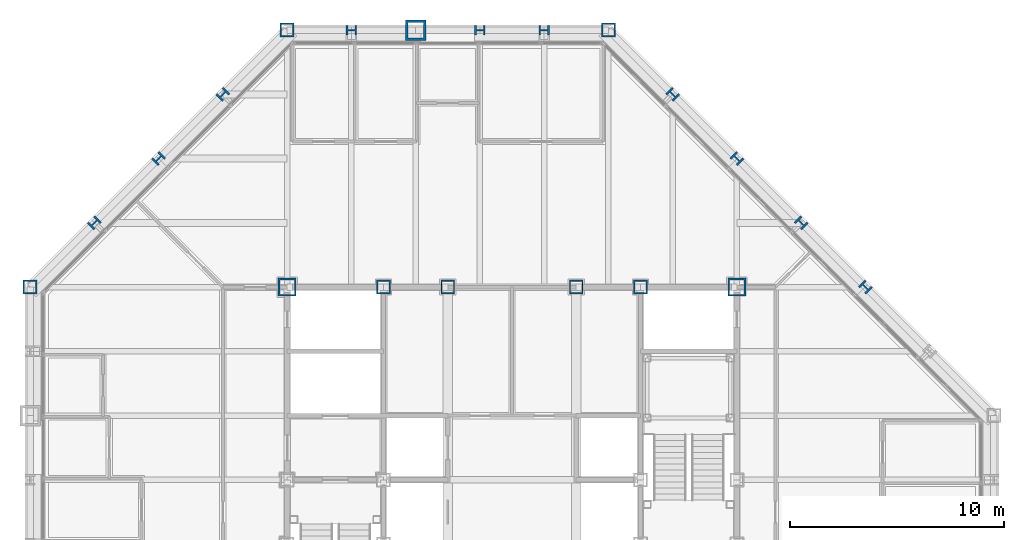
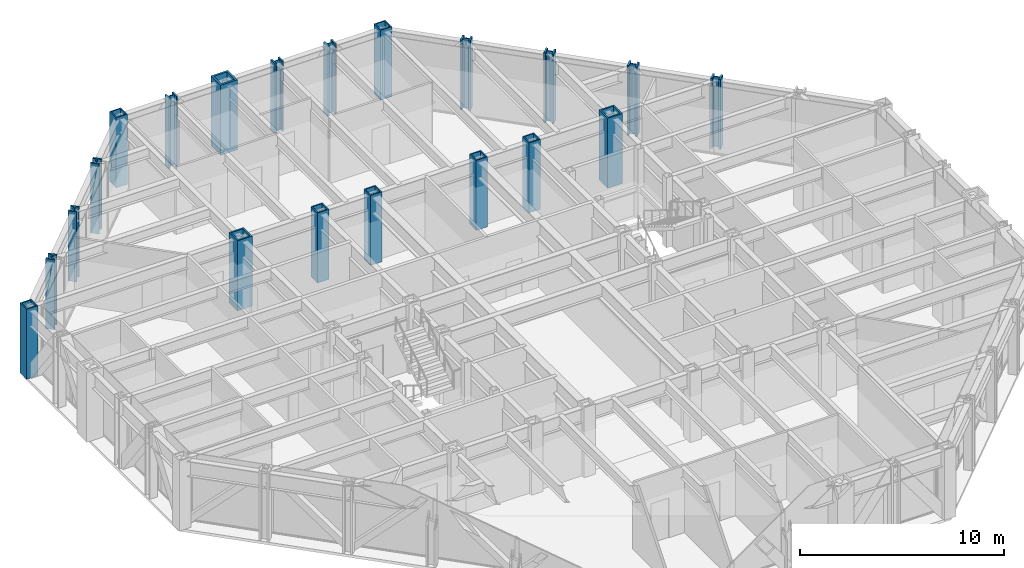
# One storey, part 3 of 15: 20 columns.
"""IFC4 building model written with IfcOpenShell, lengths in metres."""

from ifc_helpers import new_model, si_unit, direction, frame, origin, origin_2d, place, context, subcontext, project, spatial, hollow_rectangle, i_section, extrude, material, material_profile, profile_set, type_object, element, save


model = new_model("IFC4")

# Units and contexts
model_context = context("Model", 3, precision=1e-05, world=origin(), true_north=direction((0.0, 1.0)))
body_context = subcontext(model_context, "Body", "Model", "MODEL_VIEW")
ifc_project = project(units=[si_unit("LENGTHUNIT", "METRE"), si_unit("AREAUNIT", "SQUARE_METRE"), si_unit("VOLUMEUNIT", "CUBIC_METRE"), si_unit("PLANEANGLEUNIT", "RADIAN"), si_unit("MASSUNIT", "GRAM", prefix="KILO")], contexts=[model_context])

# Site, building, storey
site_placement = place(None, origin())
site = spatial("IfcSite", under=ifc_project, at=site_placement, CompositionType="ELEMENT")
building_placement = place(site_placement, origin())
building = spatial("IfcBuilding", under=site, at=building_placement, Name="Chuquiago Exchange Tower", CompositionType="ELEMENT")
storey_placement = place(building_placement, frame((0.0, 0.0, 184.5)))
storey = spatial("IfcBuildingStorey", under=building, at=storey_placement, Name="L40", CompositionType="ELEMENT", Elevation=184.5)

# Columns
ifc_material_1 = material(Name="Steel ASTM A992", Category="steel")
ifc_material_profile_1 = material_profile(ifc_material_1, i_section(OverallWidth=0.431884765625, OverallDepth=0.497802734375, WebThickness=0.0556640625, FlangeThickness=0.0888671875, at=origin_2d()), Name="W14X500")
ifc_profile_set_1 = profile_set([ifc_material_profile_1], Name="Steel ASTM A992")
column_type_1 = type_object("IfcColumnType", Name="C4 W14X500", PredefinedType="COLUMN", material=ifc_profile_set_1)
for number, where, z_axis, x_axis, name in (
    (1, (24.0, 45.0, 0.0), (0.0, 0.0, 1.0), (0.0, 1.0, 0.0), "COL-L40-24_45"),
    (2, (21.0, 45.0, 0.0), (0.0, 0.0, 1.0), (0.0, 1.0, 0.0), "COL-L40-21_45"),
    (3, (15.0, 45.0, 0.0), (0.0, 0.0, 1.0), (0.0, 1.0, 0.0), "COL-L40-15_45"),
):
    element("IfcColumn", number, at=place(storey_placement, frame(where, z_axis=z_axis, x_axis=x_axis)), inside=storey, type_object=column_type_1, Name=name, PredefinedType="COLUMN", context=body_context, shape_type="SweptSolid", body=[
        extrude(i_section(OverallWidth=0.431884765625, OverallDepth=0.497802734375, WebThickness=0.0556640625, FlangeThickness=0.0888671875, at=origin_2d()), origin(), (0.0, 0.0, 1.0), 4.199951171875),
    ])
ifc_material_2 = material(Name="Steel ASTM A572 Grade 50", Category="steel")
ifc_material_profile_2 = material_profile(ifc_material_2, hollow_rectangle(XDim=0.64990234375, YDim=0.64990234375, WallThickness=0.06494140625, at=origin_2d()), Name="BOX650X650X65")
ifc_profile_set_2 = profile_set([ifc_material_profile_2], Name="Steel ASTM A572 Grade 50")
column_type_2 = type_object("IfcColumnType", Name="CC4 BOX650X650X65", PredefinedType="COLUMN", material=ifc_profile_set_2)
for number, where, z_axis, x_axis, name in (
    (4, (16.5, 33.0, 0.0), (0.0, 0.0, 1.0), (1.0, 0.0, 0.0), "CCOL-L40-16.5_33"),
    (5, (19.5, 33.0, 0.0), (0.0, 0.0, 1.0), (1.0, 0.0, 0.0), "CCOL-L40-19.5_33"),
    (6, (25.5, 33.0, 0.0), (0.0, 0.0, 1.0), (1.0, 0.0, 0.0), "CCOL-L40-25.5_33"),
    (7, (28.5, 33.0, 0.0), (0.0, 0.0, 1.0), (1.0, 0.0, 0.0), "CCOL-L40-28.5_33"),
):
    element("IfcColumn", number, at=place(storey_placement, frame(where, z_axis=z_axis, x_axis=x_axis)), inside=storey, type_object=column_type_2, Name=name, PredefinedType="COLUMN", context=body_context, shape_type="SweptSolid", body=[
        extrude(hollow_rectangle(XDim=0.64990234375, YDim=0.64990234375, WallThickness=0.06494140625, at=origin_2d()), origin(), (0.0, 0.0, 1.0), 4.199951171875),
    ])
ifc_material_3 = material(Name="Steel ASTM A572 Grade 50", Category="steel")
ifc_material_profile_3 = material_profile(ifc_material_3, hollow_rectangle(XDim=0.85009765625, YDim=0.85009765625, WallThickness=0.0849609375, at=origin_2d()), Name="BOX850X850X85")
ifc_profile_set_3 = profile_set([ifc_material_profile_3], Name="Steel ASTM A572 Grade 50")
column_type_3 = type_object("IfcColumnType", Name="CC6 BOX850X850X85", PredefinedType="COLUMN", material=ifc_profile_set_3)
for number, where, z_axis, x_axis, name in (
    (8, (12.0, 33.0, 0.0), (0.0, 0.0, 1.0), (1.0, 0.0, 0.0), "CCOL-L40-12_33"),
    (9, (33.0, 33.0, 0.0), (0.0, 0.0, 1.0), (1.0, 0.0, 0.0), "CCOL-L40-33_33"),
):
    element("IfcColumn", number, at=place(storey_placement, frame(where, z_axis=z_axis, x_axis=x_axis)), inside=storey, type_object=column_type_3, Name=name, PredefinedType="COLUMN", context=body_context, shape_type="SweptSolid", body=[
        extrude(hollow_rectangle(XDim=0.85009765625, YDim=0.85009765625, WallThickness=0.0849609375, at=origin_2d()), origin(), (0.0, 0.0, 1.0), 4.199951171875),
    ])
ifc_material_4 = material(Name="Steel ASTM A992", Category="steel")
ifc_material_profile_4 = material_profile(ifc_material_4, i_section(OverallWidth=0.436767578125, OverallDepth=0.51318359375, WebThickness=0.060546875, FlangeThickness=0.096923828125, at=origin_2d()), Name="W14X550")
ifc_profile_set_4 = profile_set([ifc_material_profile_4], Name="Steel ASTM A992")
column_type_4 = type_object("IfcColumnType", Name="CK4 W14X550", PredefinedType="COLUMN", material=ifc_profile_set_4)
for number, where, z_axis, x_axis, name in (
    (10, (39.0, 33.0, 0.0), (0.0, 0.0, 1.0), (0.707106781187, 0.707106781187, 0.0), "COL-L40-39_33"),
    (11, (36.0, 36.0, 0.0), (0.0, 0.0, 1.0), (0.707106781187, 0.707106781187, 0.0), "COL-L40-36_36"),
    (12, (33.0, 39.0, 0.0), (0.0, 0.0, 1.0), (0.707106781187, 0.707106781187, 0.0), "COL-L40-33_39"),
    (13, (30.0, 42.0, 0.0), (0.0, 0.0, 1.0), (0.707106781187, 0.707106781187, 0.0), "COL-L40-30_42"),
    (14, (9.0, 42.0, 0.0), (0.0, 0.0, 1.0), (-0.707106781187, 0.707106781187, 0.0), "COL-L40-9_42"),
    (15, (6.0, 39.0, 0.0), (0.0, 0.0, 1.0), (-0.707106781187, 0.707106781187, 0.0), "COL-L40-6_39"),
    (16, (3.0, 36.0, 0.0), (0.0, 0.0, 1.0), (-0.707106781187, 0.707106781187, 0.0), "COL-L40-3_36"),
):
    element("IfcColumn", number, at=place(storey_placement, frame(where, z_axis=z_axis, x_axis=x_axis)), inside=storey, type_object=column_type_4, Name=name, PredefinedType="COLUMN", context=body_context, shape_type="SweptSolid", body=[
        extrude(i_section(OverallWidth=0.436767578125, OverallDepth=0.51318359375, WebThickness=0.060546875, FlangeThickness=0.096923828125, at=origin_2d()), origin(), (0.0, 0.0, 1.0), 4.199951171875),
    ])
ifc_material_5 = material(Name="Steel ASTM A572 Grade 50", Category="steel")
ifc_material_profile_5 = material_profile(ifc_material_5, hollow_rectangle(XDim=0.64990234375, YDim=0.64990234375, WallThickness=0.06494140625, at=origin_2d()), Name="BOX650X650X65")
ifc_profile_set_5 = profile_set([ifc_material_profile_5], Name="Steel ASTM A572 Grade 50")
column_type_5 = type_object("IfcColumnType", Name="CN2 BOX650X650X65", PredefinedType="COLUMN", material=ifc_profile_set_5)
for number, where, z_axis, x_axis, name in (
    (17, (27.0, 45.0, 0.0), (0.0, 0.0, 1.0), (0.0, 1.0, 0.0), "COL-L40-27_45"),
    (18, (12.0, 45.0, 0.0), (0.0, 0.0, 1.0), (0.0, 1.0, 0.0), "COL-L40-12_45"),
    (19, (0.0, 33.0, 0.0), (0.0, 0.0, 1.0), (-1.0, 0.0, 0.0), "COL-L40-0_33"),
):
    element("IfcColumn", number, at=place(storey_placement, frame(where, z_axis=z_axis, x_axis=x_axis)), inside=storey, type_object=column_type_5, Name=name, PredefinedType="COLUMN", context=body_context, shape_type="SweptSolid", body=[
        extrude(hollow_rectangle(XDim=0.64990234375, YDim=0.64990234375, WallThickness=0.06494140625, at=origin_2d()), origin(), (0.0, 0.0, 1.0), 4.199951171875),
    ])
ifc_material_6 = material(Name="Steel ASTM A572 Grade 42", Category="steel")
ifc_material_profile_6 = material_profile(ifc_material_6, hollow_rectangle(XDim=0.949951171875, YDim=0.949951171875, WallThickness=0.110107421875, at=origin_2d()), Name="BOX950X950X110")
ifc_profile_set_6 = profile_set([ifc_material_profile_6], Name="Steel ASTM A572 Grade 42")
column_type_6 = type_object("IfcColumnType", Name="CT1 BOX950X950X110", PredefinedType="COLUMN", material=ifc_profile_set_6)
column_placement = place(storey_placement, frame((18.0, 45.0, 0.0), z_axis=(0.0, 0.0, 1.0), x_axis=(0.0, 1.0, 0.0)))
element("IfcColumn", 20, at=column_placement, inside=storey, type_object=column_type_6, Name="COL-L40-18_45", PredefinedType="COLUMN", context=body_context, shape_type="SweptSolid", body=[
    extrude(hollow_rectangle(XDim=0.949951171875, YDim=0.949951171875, WallThickness=0.110107421875, at=origin_2d()), origin(), (0.0, 0.0, 1.0), 4.199951171875),
])

save(model, "model.ifc")
